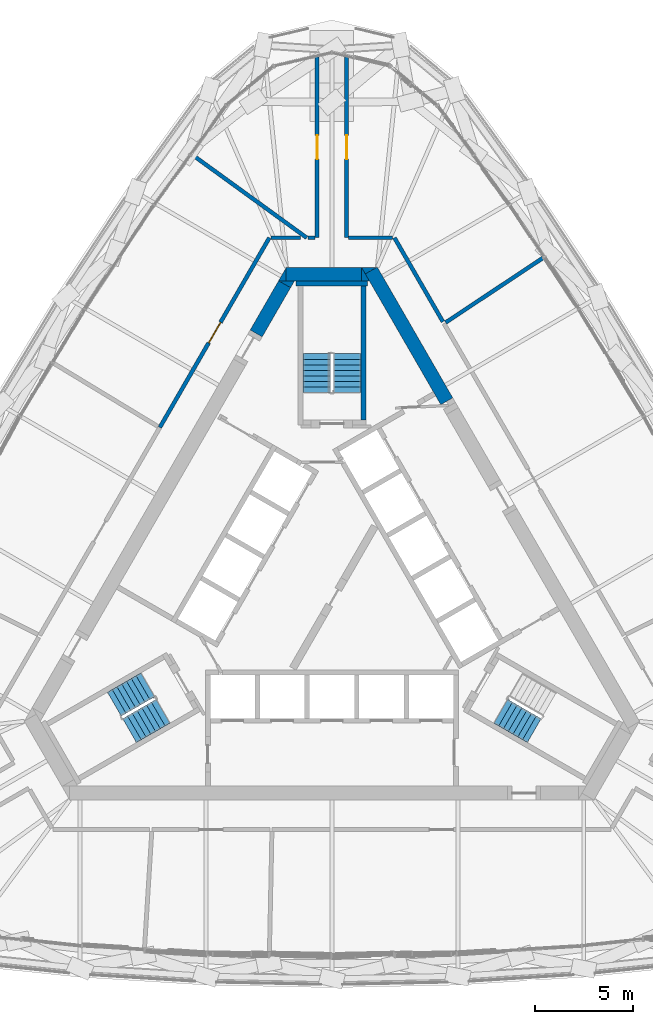
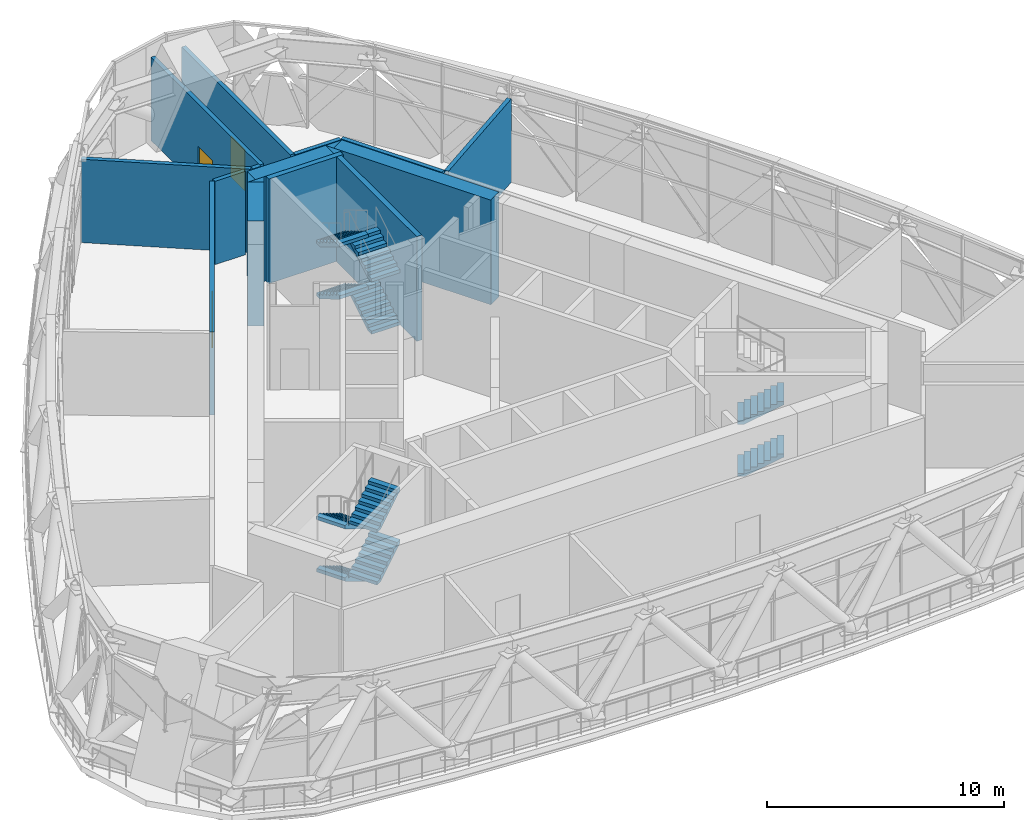
# One storey, part 23 of 33: 18 walls, 10 stair flights, 3 doors, 3 openings, 3 elements without a shape of their own.
"""IFC4 building model written with IfcOpenShell, lengths in metres."""

from ifc_helpers import new_model, si_unit, direction, frame, frame_2d, origin, place, context, subcontext, project, spatial, polyline, rectangle, outline, extrude, material, layer, layer_set, type_object, element, fill, aggregate, save


model = new_model("IFC4")

# Units and contexts
model_context = context("Model", 3, precision=1e-05, world=origin(), true_north=direction((0.0, 1.0)))
body_context = subcontext(model_context, "Body", "Model", "MODEL_VIEW")
ifc_project = project(units=[si_unit("LENGTHUNIT", "METRE"), si_unit("AREAUNIT", "SQUARE_METRE"), si_unit("VOLUMEUNIT", "CUBIC_METRE"), si_unit("PLANEANGLEUNIT", "RADIAN"), si_unit("MASSUNIT", "GRAM", prefix="KILO")], contexts=[model_context])

# Site, building, storey
site_placement = place(None, origin())
site = spatial("IfcSite", under=ifc_project, at=site_placement, CompositionType="ELEMENT")
building_placement = place(site_placement, origin())
building = spatial("IfcBuilding", under=site, at=building_placement, Name="Mestral Congress Tower", CompositionType="ELEMENT")
storey_placement = place(building_placement, frame((0.0, 0.0, 256.199951171875)))
storey = spatial("IfcBuildingStorey", under=building, at=storey_placement, Name="L60", CompositionType="ELEMENT", Elevation=256.199951171875)

# Walls
ifc_material_1 = material(Name="Concrete C60/75", Category="concrete")
ifc_layer_1 = layer(ifc_material_1, 0.699951171875)
ifc_layer_set_1 = layer_set([ifc_layer_1], Name="Concrete C60/75")
wall_type_1 = type_object("IfcWallType", Name="Core wall RC 700", PredefinedType="SOLIDWALL", material=ifc_layer_set_1)
wall_1_placement = place(storey_placement, frame((5.833251953125, 9.896484375, 0.0), z_axis=(0.0, 0.0, 1.0), x_axis=(-0.499987949039, 0.866032361298, 0.0)))
element("IfcWall", 1, at=wall_1_placement, inside=storey, type_object=wall_type_1, Name="L60 core wall", PredefinedType="SOLIDWALL", context=body_context, shape_type="SweptSolid", body=[
    extrude(rectangle(XDim=7.668212890625, YDim=0.699951171875, at=frame_2d((3.833984375, 0.0))), origin(), (0.0, 0.0, 1.0), 5.400146484375),
])
placement = place(storey_placement, origin())
element("IfcWall", 2, at=placement, inside=storey, type_object=wall_type_1, Name="L60 core wall", PredefinedType="SOLIDWALL", context=body_context, shape_type="SweptSolid", body=[
    extrude(outline(polyline([(1.501220703125, 16.699951171875), (2.277099609375, 16.699951171875), (1.695068359375, 16.364013671875), (1.501220703125, 16.699951171875)])), origin(), (0.0, 0.0, 1.0), 5.400146484375),
])
wall_3_placement = place(storey_placement, frame((-2.323486328125, 16.35009765625, 0.0), z_axis=(0.0, 0.0, 1.0), x_axis=(1.0, 0.0, 0.0)))
element("IfcWall", 3, at=wall_3_placement, inside=storey, type_object=wall_type_1, Name="L60 core wall", PredefinedType="SOLIDWALL", context=body_context, shape_type="SweptSolid", body=[
    extrude(rectangle(XDim=3.828857421875, YDim=0.699951171875, at=frame_2d((1.91455078125, 0.0))), origin(), (0.0, 0.0, 1.0), 5.400146484375),
])
element("IfcWall", 4, at=placement, inside=storey, type_object=wall_type_1, Name="L60 core wall", PredefinedType="SOLIDWALL", context=body_context, shape_type="SweptSolid", body=[
    extrude(outline(polyline([(1.9052734375, 16.0), (1.50732421875, 16.0), (1.50732421875, 16.689208984375), (1.9052734375, 16.0)])), origin(), (0.0, 0.0, 1.0), 5.400146484375),
])
element("IfcWall", 5, at=placement, inside=storey, type_object=wall_type_1, Name="L60 core wall", PredefinedType="SOLIDWALL", context=body_context, shape_type="SweptSolid", body=[
    extrude(outline(polyline([(-2.71337890625, 16.0), (-2.325439453125, 16.672119140625), (-2.325439453125, 16.0), (-2.71337890625, 16.0)])), origin(), (0.0, 0.0, 1.0), 5.400146484375),
])
wall_6_placement = place(storey_placement, frame((-2.4033203125, 15.837158203125, 0.0), z_axis=(0.0, 0.0, 1.0), x_axis=(-0.500008214683, -0.866020660983, 0.0)))
element("IfcWall", 6, at=wall_6_placement, inside=storey, type_object=wall_type_1, Name="L60 core wall", PredefinedType="SOLIDWALL", context=body_context, shape_type="SweptSolid", body=[
    extrude(rectangle(XDim=2.88427734375, YDim=0.699951171875, at=frame_2d((1.442138671875, 0.0))), origin(), (0.0, 0.0, 1.0), 5.400146484375),
])
element("IfcWall", 7, at=placement, inside=storey, type_object=wall_type_1, Name="L60 core wall", PredefinedType="SOLIDWALL", context=body_context, shape_type="SweptSolid", body=[
    extrude(outline(polyline([(-1.9052734375, 16.0), (-2.099365234375, 15.6640625), (-2.681396484375, 16.0), (-1.9052734375, 16.0)])), origin(), (0.0, 0.0, 1.0), 5.400146484375),
])

# Wall, opening, door
ifc_material_2 = material(Name="Concrete block wall, plastered", Category="concrete")
ifc_layer_2 = layer(ifc_material_2, 0.199951171875)
ifc_layer_set_2 = layer_set([ifc_layer_2], Name="Concrete block wall, plastered")
wall_type_2 = type_object("IfcWallType", Name="Special partition 200 EI 120", PredefinedType="PARTITIONING", material=ifc_layer_set_2)
wall_8_placement = place(storey_placement, frame((-3.17529296875, 18.199951171875, 0.0), z_axis=(0.0, 0.0, 1.0), x_axis=(-0.500001798457, -0.866024365442, 0.0)))
wall_8 = element("IfcWall", 8, at=wall_8_placement, inside=storey, type_object=wall_type_2, Name="Partition", PredefinedType="PARTITIONING", context=body_context, shape_type="SweptSolid", body=[
    extrude(rectangle(XDim=11.12109375, YDim=0.199951171875, at=frame_2d((5.560546875, 0.0))), origin(), (0.0, 0.0, 1.0), 4.300048828125),
])
opening_1_placement = place(wall_8_placement, frame((4.96044921875, 0.0, 0.0)))
opening_1 = element("IfcOpeningElement", 9, at=opening_1_placement, cuts=wall_8, Name="Opening S60-010", PredefinedType="OPENING", context=body_context, shape_type="SweptSolid", body=[
    extrude(rectangle(XDim=1.199951171875, YDim=2.10009765625, at=frame_2d((0.60009765625, 1.050048828125))), frame((0.0, 0.10986328125, 0.0), z_axis=(0.0, -1.0, 0.0), x_axis=(1.0, 0.0, 0.0)), (0.0, 0.0, 1.0), 0.219970703125),
])
ifc_material_3 = material(Name="Fire-rated steel door set", Category="steel")
door_type_1 = type_object("IfcDoorType", Name="Refuge door 1200x2100", OperationType="SINGLE_SWING_LEFT", PredefinedType="DOOR", material=ifc_material_3)
door_1_placement = place(opening_1_placement, origin())
door_1 = element("IfcDoor", 10, at=door_1_placement, inside=storey, type_object=door_type_1, Name="Door S60-010", OperationType="SINGLE_SWING_RIGHT", OverallHeight=2.10009765625, OverallWidth=1.199951171875, PredefinedType="DOOR", context=body_context, shape_type="SweptSolid", body=[
    extrude(rectangle(XDim=1.199951171875, YDim=2.10009765625, at=frame_2d((0.60009765625, 1.050048828125))), frame((0.0, 0.02490234375, 0.0), z_axis=(0.0, -1.0, 0.0), x_axis=(1.0, 0.0, 0.0)), (0.0, 0.0, 1.0), 0.050048828125),
])
fill(opening_1, door_1)

wall_9_placement = place(storey_placement, frame((0.75, 18.199951171875, 0.0), z_axis=(0.0, 0.0, 1.0), x_axis=(0.0, 1.0, 0.0)))
wall_9 = element("IfcWall", 11, at=wall_9_placement, inside=storey, type_object=wall_type_2, Name="Partition", PredefinedType="PARTITIONING", context=body_context, shape_type="SweptSolid", body=[
    extrude(rectangle(XDim=9.18701171875, YDim=0.199951171875, at=frame_2d((4.593505859375, 0.0))), origin(), (0.0, 0.0, 1.0), 4.300048828125),
])
opening_2_placement = place(wall_9_placement, frame((3.993408203125, 0.0, 0.0)))
opening_2 = element("IfcOpeningElement", 12, at=opening_2_placement, cuts=wall_9, Name="Opening S60-008", PredefinedType="OPENING", context=body_context, shape_type="SweptSolid", body=[
    extrude(rectangle(XDim=1.199951171875, YDim=2.10009765625, at=frame_2d((0.60009765625, 1.050048828125))), frame((0.0, 0.10986328125, 0.0), z_axis=(0.0, -1.0, 0.0), x_axis=(1.0, 0.0, 0.0)), (0.0, 0.0, 1.0), 0.219970703125),
])
door_2_placement = place(opening_2_placement, origin())
door_2 = element("IfcDoor", 13, at=door_2_placement, inside=storey, type_object=door_type_1, Name="Door S60-008", OperationType="SINGLE_SWING_RIGHT", OverallHeight=2.10009765625, OverallWidth=1.199951171875, PredefinedType="DOOR", context=body_context, shape_type="SweptSolid", body=[
    extrude(rectangle(XDim=1.199951171875, YDim=2.10009765625, at=frame_2d((0.60009765625, 1.050048828125))), frame((0.0, 0.02490234375, 0.0), z_axis=(0.0, -1.0, 0.0), x_axis=(1.0, 0.0, 0.0)), (0.0, 0.0, 1.0), 0.050048828125),
])
fill(opening_2, door_2)

wall_10_placement = place(storey_placement, frame((-0.75, 27.386962890625, 0.0), z_axis=(0.0, 0.0, 1.0), x_axis=(0.0, -1.0, 0.0)))
wall_10 = element("IfcWall", 14, at=wall_10_placement, inside=storey, type_object=wall_type_2, Name="Partition", PredefinedType="PARTITIONING", context=body_context, shape_type="SweptSolid", body=[
    extrude(rectangle(XDim=9.18701171875, YDim=0.199951171875, at=frame_2d((4.593505859375, 0.0))), origin(), (0.0, 0.0, 1.0), 4.300048828125),
])
opening_3_placement = place(wall_10_placement, frame((3.993408203125, 0.0, 0.0)))
opening_3 = element("IfcOpeningElement", 15, at=opening_3_placement, cuts=wall_10, Name="Opening S60-009", PredefinedType="OPENING", context=body_context, shape_type="SweptSolid", body=[
    extrude(rectangle(XDim=1.199951171875, YDim=2.10009765625, at=frame_2d((0.60009765625, 1.050048828125))), frame((0.0, 0.10986328125, 0.0), z_axis=(0.0, -1.0, 0.0), x_axis=(1.0, 0.0, 0.0)), (0.0, 0.0, 1.0), 0.219970703125),
])
door_type_2 = type_object("IfcDoorType", Name="Plant room door 1200x2100", OperationType="SINGLE_SWING_LEFT", PredefinedType="DOOR", material=ifc_material_3)
door_3_placement = place(opening_3_placement, origin())
door_3 = element("IfcDoor", 16, at=door_3_placement, inside=storey, type_object=door_type_2, Name="Door S60-009", OperationType="SINGLE_SWING_RIGHT", OverallHeight=2.10009765625, OverallWidth=1.199951171875, PredefinedType="DOOR", context=body_context, shape_type="SweptSolid", body=[
    extrude(rectangle(XDim=1.199951171875, YDim=2.10009765625, at=frame_2d((0.60009765625, 1.050048828125))), frame((0.0, 0.02490234375, 0.0), z_axis=(0.0, -1.0, 0.0), x_axis=(1.0, 0.0, 0.0)), (0.0, 0.0, 1.0), 0.050048828125),
])
fill(opening_3, door_3)

# Walls
wall_11_placement = place(storey_placement, frame((-1.28076171875, 18.199951171875, 0.0), z_axis=(0.0, 0.0, 1.0), x_axis=(-0.809573791684, 0.587018122223, 0.0)))
element("IfcWall", 17, at=wall_11_placement, inside=storey, type_object=wall_type_2, Name="Partition", PredefinedType="PARTITIONING", context=body_context, shape_type="SweptSolid", body=[
    extrude(rectangle(XDim=7.20166015625, YDim=0.199951171875, at=frame_2d((3.600830078125, 0.0))), origin(), (0.0, 0.0, 1.0), 4.300048828125),
])
wall_12_placement = place(storey_placement, frame((5.77587890625, 13.895751953125, 0.0), z_axis=(0.0, 0.0, 1.0), x_axis=(0.833232656179, 0.552922544916, 0.0)))
element("IfcWall", 18, at=wall_12_placement, inside=storey, type_object=wall_type_2, Name="Partition", PredefinedType="PARTITIONING", context=body_context, shape_type="SweptSolid", body=[
    extrude(rectangle(XDim=5.962646484375, YDim=0.199951171875, at=frame_2d((2.9814453125, 0.0))), origin(), (0.0, 0.0, 1.0), 4.300048828125),
])
wall_13_placement = place(storey_placement, frame((3.17529296875, 18.199951171875, 0.0), z_axis=(0.0, 0.0, 1.0), x_axis=(0.500015723568, -0.866016325588, 0.0)))
element("IfcWall", 19, at=wall_13_placement, inside=storey, type_object=wall_type_2, Name="Partition", PredefinedType="PARTITIONING", context=body_context, shape_type="SweptSolid", body=[
    extrude(rectangle(XDim=4.924072265625, YDim=0.199951171875, at=frame_2d((2.4619140625, 0.0))), origin(), (0.0, 0.0, 1.0), 4.300048828125),
])
wall_14_placement = place(storey_placement, frame((0.85009765625, 18.199951171875, 0.0), z_axis=(0.0, 0.0, 1.0), x_axis=(1.0, 0.0, 0.0)))
element("IfcWall", 20, at=wall_14_placement, inside=storey, type_object=wall_type_2, Name="Partition", PredefinedType="PARTITIONING", context=body_context, shape_type="SweptSolid", body=[
    extrude(rectangle(XDim=2.2353515625, YDim=0.199951171875, at=frame_2d((1.11767578125, 0.0))), origin(), (0.0, 0.0, 1.0), 4.300048828125),
])
wall_15_placement = place(storey_placement, frame((-3.08544921875, 18.199951171875, 0.0), z_axis=(0.0, 0.0, 1.0), x_axis=(1.0, 0.0, 0.0)))
element("IfcWall", 21, at=wall_15_placement, inside=storey, type_object=wall_type_2, Name="Partition", PredefinedType="PARTITIONING", context=body_context, shape_type="SweptSolid", body=[
    extrude(rectangle(XDim=1.494873046875, YDim=0.199951171875, at=frame_2d((0.74755859375, 0.0))), origin(), (0.0, 0.0, 1.0), 4.300048828125),
])
wall_16_placement = place(storey_placement, frame((-1.22119140625, 18.199951171875, 0.0), z_axis=(0.0, 0.0, 1.0), x_axis=(1.0, 0.0, 0.0)))
element("IfcWall", 22, at=wall_16_placement, inside=storey, type_object=wall_type_2, Name="Partition", PredefinedType="PARTITIONING", context=body_context, shape_type="SweptSolid", body=[
    extrude(rectangle(XDim=0.37109375, YDim=0.199951171875, at=frame_2d((0.185546875, 0.0))), origin(), (0.0, 0.0, 1.0), 4.300048828125),
])
ifc_layer_3 = layer(ifc_material_1, 0.25)
ifc_layer_set_3 = layer_set([ifc_layer_3], Name="Concrete C60/75")
wall_type_3 = type_object("IfcWallType", Name="Stair wall RC 250", PredefinedType="SOLIDWALL", material=ifc_layer_set_3)
wall_17_placement = place(storey_placement, frame((-1.81689453125, 15.875, 0.0), z_axis=(0.0, 0.0, 1.0), x_axis=(1.0, 0.0, 0.0)))
element("IfcWall", 23, at=wall_17_placement, inside=storey, type_object=wall_type_3, Name="L60 core wall", PredefinedType="SOLIDWALL", context=body_context, shape_type="SweptSolid", body=[
    extrude(rectangle(XDim=3.6337890625, YDim=0.25, at=frame_2d((1.81689453125, 0.0))), origin(), (0.0, 0.0, 1.0), 5.400146484375),
])
wall_18_placement = place(storey_placement, frame((1.60009765625, 8.949951171875, 0.0), z_axis=(0.0, 0.0, 1.0), x_axis=(0.0, 1.0, 0.0)))
element("IfcWall", 24, at=wall_18_placement, inside=storey, type_object=wall_type_3, Name="L60 core wall", PredefinedType="SOLIDWALL", context=body_context, shape_type="SweptSolid", body=[
    extrude(rectangle(XDim=6.800048828125, YDim=0.25, at=frame_2d((3.39990234375, 0.0))), origin(), (0.0, 0.0, 1.0), 5.400146484375),
])

# Stair, stair flights
stair_type = type_object("IfcStairType", Name="Exit stair 1400", PredefinedType="HALF_TURN_STAIR", material=ifc_material_1)
stair_1 = element("IfcStair", 25, at=placement, inside=storey, type_object=stair_type, Name="L60 ST1", PredefinedType="HALF_TURN_STAIR")
stair_flight_type = type_object("IfcStairFlightType", Name="Exit stair flight 1400", PredefinedType="STRAIGHT", material=ifc_material_1)
stair_flight_1_placement = place(storey_placement, frame((8.575927734375, -5.84619140625, 0.0), z_axis=(0.0, 0.0, 1.0), x_axis=(0.866025403784, -0.5, 0.0)))
stair_flight_1 = element("IfcStairFlight", 26, at=stair_flight_1_placement, type_object=stair_flight_type, Name="ST1 flight 1", NumberOfRisers=8, NumberOfTreads=7, PredefinedType="STRAIGHT", RiserHeight=0.16875, TreadLength=0.28, context=body_context, shape_type="SweptSolid", body=[
    extrude(outline(polyline([(0.0, 0.0), (0.0, 0.168701171875), (0.280029296875, 0.168701171875), (0.280029296875, 0.33740234375), (0.56005859375, 0.33740234375), (0.56005859375, 0.50634765625), (0.840087890625, 0.50634765625), (0.840087890625, 0.675048828125), (1.1201171875, 0.675048828125), (1.1201171875, 0.84375), (1.39990234375, 0.84375), (1.39990234375, 1.012451171875), (1.679931640625, 1.012451171875), (1.679931640625, 1.18115234375), (1.9599609375, 1.18115234375), (1.9599609375, 1.35009765625), (1.9599609375, 1.00634765625), (0.29052734375, 0.0), (0.0, 0.0)])), frame((0.0, 0.699951171875, 0.0), z_axis=(0.0, -1.0, 0.0), x_axis=(1.0, 0.0, 0.0)), (0.0, 0.0, 1.0), 0.700927734375),
    extrude(outline(polyline([(0.0, 0.0), (0.0, 0.168701171875), (0.280029296875, 0.168701171875), (0.280029296875, 0.33740234375), (0.56005859375, 0.33740234375), (0.56005859375, 0.50634765625), (0.840087890625, 0.50634765625), (0.840087890625, 0.675048828125), (1.1201171875, 0.675048828125), (1.1201171875, 0.84375), (1.39990234375, 0.84375), (1.39990234375, 1.012451171875), (1.679931640625, 1.012451171875), (1.679931640625, 1.18115234375), (1.9599609375, 1.18115234375), (1.9599609375, 1.35009765625), (1.9599609375, 1.00634765625), (0.29052734375, 0.0), (0.0, 0.0)])), frame((0.0, 0.0009765625, 0.0), z_axis=(0.0, -1.0, 0.0), x_axis=(1.0, 0.0, 0.0)), (0.0, 0.0, 1.0), 0.700927734375),
])
stair_flight_2_placement = place(storey_placement, frame((8.575927734375, -5.84619140625, 2.699951171875), z_axis=(0.0, 0.0, 1.0), x_axis=(0.866025403784, -0.5, 0.0)))
stair_flight_2 = element("IfcStairFlight", 27, at=stair_flight_2_placement, type_object=stair_flight_type, Name="ST1 flight 3", NumberOfRisers=8, NumberOfTreads=7, PredefinedType="STRAIGHT", RiserHeight=0.16875, TreadLength=0.28, context=body_context, shape_type="SweptSolid", body=[
    extrude(outline(polyline([(0.0, 0.0), (0.0, 0.168701171875), (0.280029296875, 0.168701171875), (0.280029296875, 0.33740234375), (0.56005859375, 0.33740234375), (0.56005859375, 0.50634765625), (0.840087890625, 0.50634765625), (0.840087890625, 0.675048828125), (1.1201171875, 0.675048828125), (1.1201171875, 0.84375), (1.39990234375, 0.84375), (1.39990234375, 1.012451171875), (1.679931640625, 1.012451171875), (1.679931640625, 1.18115234375), (1.9599609375, 1.18115234375), (1.9599609375, 1.35009765625), (1.9599609375, 1.00634765625), (0.29052734375, 0.0), (0.0, 0.0)])), frame((0.0, 0.699951171875, 0.0), z_axis=(0.0, -1.0, 0.0), x_axis=(1.0, 0.0, 0.0)), (0.0, 0.0, 1.0), 0.700927734375),
    extrude(outline(polyline([(0.0, 0.0), (0.0, 0.168701171875), (0.280029296875, 0.168701171875), (0.280029296875, 0.33740234375), (0.56005859375, 0.33740234375), (0.56005859375, 0.50634765625), (0.840087890625, 0.50634765625), (0.840087890625, 0.675048828125), (1.1201171875, 0.675048828125), (1.1201171875, 0.84375), (1.39990234375, 0.84375), (1.39990234375, 1.012451171875), (1.679931640625, 1.012451171875), (1.679931640625, 1.18115234375), (1.9599609375, 1.18115234375), (1.9599609375, 1.35009765625), (1.9599609375, 1.00634765625), (0.29052734375, 0.0), (0.0, 0.0)])), frame((0.0, 0.0009765625, 0.0), z_axis=(0.0, -1.0, 0.0), x_axis=(1.0, 0.0, 0.0)), (0.0, 0.0, 1.0), 0.700927734375),
])
aggregate(stair_1, [stair_flight_1, stair_flight_2])

stair_2 = element("IfcStair", 28, at=placement, inside=storey, type_object=stair_type, Name="L60 ST2", PredefinedType="HALF_TURN_STAIR")
stair_flight_3_placement = place(storey_placement, frame((0.77490234375, 10.35009765625, 0.0), z_axis=(0.0, 0.0, 1.0), x_axis=(0.0, 1.0, 0.0)))
stair_flight_3 = element("IfcStairFlight", 29, at=stair_flight_3_placement, type_object=stair_flight_type, Name="ST2 flight 1", NumberOfRisers=8, NumberOfTreads=7, PredefinedType="STRAIGHT", RiserHeight=0.16875, TreadLength=0.28, context=body_context, shape_type="SweptSolid", body=[
    extrude(outline(polyline([(0.0, 0.0), (0.0, 0.168701171875), (0.280029296875, 0.168701171875), (0.280029296875, 0.33740234375), (0.56005859375, 0.33740234375), (0.56005859375, 0.50634765625), (0.840087890625, 0.50634765625), (0.840087890625, 0.675048828125), (1.1201171875, 0.675048828125), (1.1201171875, 0.84375), (1.39990234375, 0.84375), (1.39990234375, 1.012451171875), (1.679931640625, 1.012451171875), (1.679931640625, 1.18115234375), (1.9599609375, 1.18115234375), (1.9599609375, 1.35009765625), (1.9599609375, 1.00634765625), (0.29052734375, 0.0), (0.0, 0.0)])), frame((0.0, 0.699951171875, 0.0), z_axis=(0.0, -1.0, 0.0), x_axis=(1.0, 0.0, 0.0)), (0.0, 0.0, 1.0), 0.700927734375),
    extrude(outline(polyline([(0.0, 0.0), (0.0, 0.168701171875), (0.280029296875, 0.168701171875), (0.280029296875, 0.33740234375), (0.56005859375, 0.33740234375), (0.56005859375, 0.50634765625), (0.840087890625, 0.50634765625), (0.840087890625, 0.675048828125), (1.1201171875, 0.675048828125), (1.1201171875, 0.84375), (1.39990234375, 0.84375), (1.39990234375, 1.012451171875), (1.679931640625, 1.012451171875), (1.679931640625, 1.18115234375), (1.9599609375, 1.18115234375), (1.9599609375, 1.35009765625), (1.9599609375, 1.00634765625), (0.29052734375, 0.0), (0.0, 0.0)])), frame((0.0, 0.0009765625, 0.0), z_axis=(0.0, -1.0, 0.0), x_axis=(1.0, 0.0, 0.0)), (0.0, 0.0, 1.0), 0.700927734375),
])
stair_flight_4_placement = place(storey_placement, frame((-0.77490234375, 12.31005859375, 1.35009765625), z_axis=(0.0, 0.0, 1.0), x_axis=(0.0, -1.0, 0.0)))
stair_flight_4 = element("IfcStairFlight", 30, at=stair_flight_4_placement, type_object=stair_flight_type, Name="ST2 flight 2", NumberOfRisers=8, NumberOfTreads=7, PredefinedType="STRAIGHT", RiserHeight=0.16875, TreadLength=0.28, context=body_context, shape_type="SweptSolid", body=[
    extrude(outline(polyline([(0.0, 0.0), (0.0, 0.168701171875), (0.280029296875, 0.168701171875), (0.280029296875, 0.33740234375), (0.56005859375, 0.33740234375), (0.56005859375, 0.50634765625), (0.840087890625, 0.50634765625), (0.840087890625, 0.675048828125), (1.1201171875, 0.675048828125), (1.1201171875, 0.84375), (1.39990234375, 0.84375), (1.39990234375, 1.012451171875), (1.679931640625, 1.012451171875), (1.679931640625, 1.18115234375), (1.9599609375, 1.18115234375), (1.9599609375, 1.35009765625), (1.9599609375, 1.00634765625), (0.29052734375, 0.0), (0.0, 0.0)])), frame((0.0, 0.699951171875, 0.0), z_axis=(0.0, -1.0, 0.0), x_axis=(1.0, 0.0, 0.0)), (0.0, 0.0, 1.0), 0.700927734375),
    extrude(outline(polyline([(0.0, 0.0), (0.0, 0.168701171875), (0.280029296875, 0.168701171875), (0.280029296875, 0.33740234375), (0.56005859375, 0.33740234375), (0.56005859375, 0.50634765625), (0.840087890625, 0.50634765625), (0.840087890625, 0.675048828125), (1.1201171875, 0.675048828125), (1.1201171875, 0.84375), (1.39990234375, 0.84375), (1.39990234375, 1.012451171875), (1.679931640625, 1.012451171875), (1.679931640625, 1.18115234375), (1.9599609375, 1.18115234375), (1.9599609375, 1.35009765625), (1.9599609375, 1.00634765625), (0.29052734375, 0.0), (0.0, 0.0)])), frame((0.0, 0.0009765625, 0.0), z_axis=(0.0, -1.0, 0.0), x_axis=(1.0, 0.0, 0.0)), (0.0, 0.0, 1.0), 0.700927734375),
])
stair_flight_5_placement = place(storey_placement, frame((0.77490234375, 10.35009765625, 2.699951171875), z_axis=(0.0, 0.0, 1.0), x_axis=(0.0, 1.0, 0.0)))
stair_flight_5 = element("IfcStairFlight", 31, at=stair_flight_5_placement, type_object=stair_flight_type, Name="ST2 flight 3", NumberOfRisers=8, NumberOfTreads=7, PredefinedType="STRAIGHT", RiserHeight=0.16875, TreadLength=0.28, context=body_context, shape_type="SweptSolid", body=[
    extrude(outline(polyline([(0.0, 0.0), (0.0, 0.168701171875), (0.280029296875, 0.168701171875), (0.280029296875, 0.33740234375), (0.56005859375, 0.33740234375), (0.56005859375, 0.50634765625), (0.840087890625, 0.50634765625), (0.840087890625, 0.675048828125), (1.1201171875, 0.675048828125), (1.1201171875, 0.84375), (1.39990234375, 0.84375), (1.39990234375, 1.012451171875), (1.679931640625, 1.012451171875), (1.679931640625, 1.18115234375), (1.9599609375, 1.18115234375), (1.9599609375, 1.35009765625), (1.9599609375, 1.00634765625), (0.29052734375, 0.0), (0.0, 0.0)])), frame((0.0, 0.699951171875, 0.0), z_axis=(0.0, -1.0, 0.0), x_axis=(1.0, 0.0, 0.0)), (0.0, 0.0, 1.0), 0.700927734375),
    extrude(outline(polyline([(0.0, 0.0), (0.0, 0.168701171875), (0.280029296875, 0.168701171875), (0.280029296875, 0.33740234375), (0.56005859375, 0.33740234375), (0.56005859375, 0.50634765625), (0.840087890625, 0.50634765625), (0.840087890625, 0.675048828125), (1.1201171875, 0.675048828125), (1.1201171875, 0.84375), (1.39990234375, 0.84375), (1.39990234375, 1.012451171875), (1.679931640625, 1.012451171875), (1.679931640625, 1.18115234375), (1.9599609375, 1.18115234375), (1.9599609375, 1.35009765625), (1.9599609375, 1.00634765625), (0.29052734375, 0.0), (0.0, 0.0)])), frame((0.0, 0.0009765625, 0.0), z_axis=(0.0, -1.0, 0.0), x_axis=(1.0, 0.0, 0.0)), (0.0, 0.0, 1.0), 0.700927734375),
])
stair_flight_6_placement = place(storey_placement, frame((-0.77490234375, 12.31005859375, 4.050048828125), z_axis=(0.0, 0.0, 1.0), x_axis=(0.0, -1.0, 0.0)))
stair_flight_6 = element("IfcStairFlight", 32, at=stair_flight_6_placement, type_object=stair_flight_type, Name="ST2 flight 4", NumberOfRisers=8, NumberOfTreads=7, PredefinedType="STRAIGHT", RiserHeight=0.16875, TreadLength=0.28, context=body_context, shape_type="SweptSolid", body=[
    extrude(outline(polyline([(0.0, 0.0), (0.0, 0.168701171875), (0.280029296875, 0.168701171875), (0.280029296875, 0.33740234375), (0.56005859375, 0.33740234375), (0.56005859375, 0.50634765625), (0.840087890625, 0.50634765625), (0.840087890625, 0.675048828125), (1.1201171875, 0.675048828125), (1.1201171875, 0.84375), (1.39990234375, 0.84375), (1.39990234375, 1.012451171875), (1.679931640625, 1.012451171875), (1.679931640625, 1.18115234375), (1.9599609375, 1.18115234375), (1.9599609375, 1.35009765625), (1.9599609375, 1.00634765625), (0.29052734375, 0.0), (0.0, 0.0)])), frame((0.0, 0.699951171875, 0.0), z_axis=(0.0, -1.0, 0.0), x_axis=(1.0, 0.0, 0.0)), (0.0, 0.0, 1.0), 0.700927734375),
    extrude(outline(polyline([(0.0, 0.0), (0.0, 0.168701171875), (0.280029296875, 0.168701171875), (0.280029296875, 0.33740234375), (0.56005859375, 0.33740234375), (0.56005859375, 0.50634765625), (0.840087890625, 0.50634765625), (0.840087890625, 0.675048828125), (1.1201171875, 0.675048828125), (1.1201171875, 0.84375), (1.39990234375, 0.84375), (1.39990234375, 1.012451171875), (1.679931640625, 1.012451171875), (1.679931640625, 1.18115234375), (1.9599609375, 1.18115234375), (1.9599609375, 1.35009765625), (1.9599609375, 1.00634765625), (0.29052734375, 0.0), (0.0, 0.0)])), frame((0.0, 0.0009765625, 0.0), z_axis=(0.0, -1.0, 0.0), x_axis=(1.0, 0.0, 0.0)), (0.0, 0.0, 1.0), 0.700927734375),
])
aggregate(stair_2, [stair_flight_3, stair_flight_4, stair_flight_5, stair_flight_6])

stair_3 = element("IfcStair", 33, at=placement, inside=storey, type_object=stair_type, Name="L60 ST3", PredefinedType="HALF_TURN_STAIR")
stair_flight_7_placement = place(storey_placement, frame((-9.350830078125, -4.50390625, 0.0), z_axis=(0.0, 0.0, 1.0), x_axis=(-0.866025403784, -0.5, 0.0)))
stair_flight_7 = element("IfcStairFlight", 34, at=stair_flight_7_placement, type_object=stair_flight_type, Name="ST3 flight 1", NumberOfRisers=8, NumberOfTreads=7, PredefinedType="STRAIGHT", RiserHeight=0.16875, TreadLength=0.28, context=body_context, shape_type="SweptSolid", body=[
    extrude(outline(polyline([(0.0, 0.0), (0.0, 0.168701171875), (0.280029296875, 0.168701171875), (0.280029296875, 0.33740234375), (0.56005859375, 0.33740234375), (0.56005859375, 0.50634765625), (0.840087890625, 0.50634765625), (0.840087890625, 0.675048828125), (1.1201171875, 0.675048828125), (1.1201171875, 0.84375), (1.39990234375, 0.84375), (1.39990234375, 1.012451171875), (1.679931640625, 1.012451171875), (1.679931640625, 1.18115234375), (1.9599609375, 1.18115234375), (1.9599609375, 1.35009765625), (1.9599609375, 1.00634765625), (0.29052734375, 0.0), (0.0, 0.0)])), frame((0.0, 0.699951171875, 0.0), z_axis=(0.0, -1.0, 0.0), x_axis=(1.0, 0.0, 0.0)), (0.0, 0.0, 1.0), 0.700927734375),
    extrude(outline(polyline([(0.0, 0.0), (0.0, 0.168701171875), (0.280029296875, 0.168701171875), (0.280029296875, 0.33740234375), (0.56005859375, 0.33740234375), (0.56005859375, 0.50634765625), (0.840087890625, 0.50634765625), (0.840087890625, 0.675048828125), (1.1201171875, 0.675048828125), (1.1201171875, 0.84375), (1.39990234375, 0.84375), (1.39990234375, 1.012451171875), (1.679931640625, 1.012451171875), (1.679931640625, 1.18115234375), (1.9599609375, 1.18115234375), (1.9599609375, 1.35009765625), (1.9599609375, 1.00634765625), (0.29052734375, 0.0), (0.0, 0.0)])), frame((0.0, 0.0009765625, 0.0), z_axis=(0.0, -1.0, 0.0), x_axis=(1.0, 0.0, 0.0)), (0.0, 0.0, 1.0), 0.700927734375),
])
stair_flight_8_placement = place(storey_placement, frame((-10.273193359375, -6.826171875, 1.35009765625), z_axis=(0.0, 0.0, 1.0), x_axis=(0.866025403784, 0.5, 0.0)))
stair_flight_8 = element("IfcStairFlight", 35, at=stair_flight_8_placement, type_object=stair_flight_type, Name="ST3 flight 2", NumberOfRisers=8, NumberOfTreads=7, PredefinedType="STRAIGHT", RiserHeight=0.16875, TreadLength=0.28, context=body_context, shape_type="SweptSolid", body=[
    extrude(outline(polyline([(0.0, 0.0), (0.0, 0.168701171875), (0.280029296875, 0.168701171875), (0.280029296875, 0.33740234375), (0.56005859375, 0.33740234375), (0.56005859375, 0.50634765625), (0.840087890625, 0.50634765625), (0.840087890625, 0.675048828125), (1.1201171875, 0.675048828125), (1.1201171875, 0.84375), (1.39990234375, 0.84375), (1.39990234375, 1.012451171875), (1.679931640625, 1.012451171875), (1.679931640625, 1.18115234375), (1.9599609375, 1.18115234375), (1.9599609375, 1.35009765625), (1.9599609375, 1.00634765625), (0.29052734375, 0.0), (0.0, 0.0)])), frame((0.0, 0.699951171875, 0.0), z_axis=(0.0, -1.0, 0.0), x_axis=(1.0, 0.0, 0.0)), (0.0, 0.0, 1.0), 0.700927734375),
    extrude(outline(polyline([(0.0, 0.0), (0.0, 0.168701171875), (0.280029296875, 0.168701171875), (0.280029296875, 0.33740234375), (0.56005859375, 0.33740234375), (0.56005859375, 0.50634765625), (0.840087890625, 0.50634765625), (0.840087890625, 0.675048828125), (1.1201171875, 0.675048828125), (1.1201171875, 0.84375), (1.39990234375, 0.84375), (1.39990234375, 1.012451171875), (1.679931640625, 1.012451171875), (1.679931640625, 1.18115234375), (1.9599609375, 1.18115234375), (1.9599609375, 1.35009765625), (1.9599609375, 1.00634765625), (0.29052734375, 0.0), (0.0, 0.0)])), frame((0.0, 0.0009765625, 0.0), z_axis=(0.0, -1.0, 0.0), x_axis=(1.0, 0.0, 0.0)), (0.0, 0.0, 1.0), 0.700927734375),
])
stair_flight_9_placement = place(storey_placement, frame((-9.350830078125, -4.50390625, 2.699951171875), z_axis=(0.0, 0.0, 1.0), x_axis=(-0.866025403784, -0.5, 0.0)))
stair_flight_9 = element("IfcStairFlight", 36, at=stair_flight_9_placement, type_object=stair_flight_type, Name="ST3 flight 3", NumberOfRisers=8, NumberOfTreads=7, PredefinedType="STRAIGHT", RiserHeight=0.16875, TreadLength=0.28, context=body_context, shape_type="SweptSolid", body=[
    extrude(outline(polyline([(0.0, 0.0), (0.0, 0.168701171875), (0.280029296875, 0.168701171875), (0.280029296875, 0.33740234375), (0.56005859375, 0.33740234375), (0.56005859375, 0.50634765625), (0.840087890625, 0.50634765625), (0.840087890625, 0.675048828125), (1.1201171875, 0.675048828125), (1.1201171875, 0.84375), (1.39990234375, 0.84375), (1.39990234375, 1.012451171875), (1.679931640625, 1.012451171875), (1.679931640625, 1.18115234375), (1.9599609375, 1.18115234375), (1.9599609375, 1.35009765625), (1.9599609375, 1.00634765625), (0.29052734375, 0.0), (0.0, 0.0)])), frame((0.0, 0.699951171875, 0.0), z_axis=(0.0, -1.0, 0.0), x_axis=(1.0, 0.0, 0.0)), (0.0, 0.0, 1.0), 0.700927734375),
    extrude(outline(polyline([(0.0, 0.0), (0.0, 0.168701171875), (0.280029296875, 0.168701171875), (0.280029296875, 0.33740234375), (0.56005859375, 0.33740234375), (0.56005859375, 0.50634765625), (0.840087890625, 0.50634765625), (0.840087890625, 0.675048828125), (1.1201171875, 0.675048828125), (1.1201171875, 0.84375), (1.39990234375, 0.84375), (1.39990234375, 1.012451171875), (1.679931640625, 1.012451171875), (1.679931640625, 1.18115234375), (1.9599609375, 1.18115234375), (1.9599609375, 1.35009765625), (1.9599609375, 1.00634765625), (0.29052734375, 0.0), (0.0, 0.0)])), frame((0.0, 0.0009765625, 0.0), z_axis=(0.0, -1.0, 0.0), x_axis=(1.0, 0.0, 0.0)), (0.0, 0.0, 1.0), 0.700927734375),
])
stair_flight_10_placement = place(storey_placement, frame((-10.273193359375, -6.826171875, 4.050048828125), z_axis=(0.0, 0.0, 1.0), x_axis=(0.866025403784, 0.5, 0.0)))
stair_flight_10 = element("IfcStairFlight", 37, at=stair_flight_10_placement, type_object=stair_flight_type, Name="ST3 flight 4", NumberOfRisers=8, NumberOfTreads=7, PredefinedType="STRAIGHT", RiserHeight=0.16875, TreadLength=0.28, context=body_context, shape_type="SweptSolid", body=[
    extrude(outline(polyline([(0.0, 0.0), (0.0, 0.168701171875), (0.280029296875, 0.168701171875), (0.280029296875, 0.33740234375), (0.56005859375, 0.33740234375), (0.56005859375, 0.50634765625), (0.840087890625, 0.50634765625), (0.840087890625, 0.675048828125), (1.1201171875, 0.675048828125), (1.1201171875, 0.84375), (1.39990234375, 0.84375), (1.39990234375, 1.012451171875), (1.679931640625, 1.012451171875), (1.679931640625, 1.18115234375), (1.9599609375, 1.18115234375), (1.9599609375, 1.35009765625), (1.9599609375, 1.00634765625), (0.29052734375, 0.0), (0.0, 0.0)])), frame((0.0, 0.699951171875, 0.0), z_axis=(0.0, -1.0, 0.0), x_axis=(1.0, 0.0, 0.0)), (0.0, 0.0, 1.0), 0.700927734375),
    extrude(outline(polyline([(0.0, 0.0), (0.0, 0.168701171875), (0.280029296875, 0.168701171875), (0.280029296875, 0.33740234375), (0.56005859375, 0.33740234375), (0.56005859375, 0.50634765625), (0.840087890625, 0.50634765625), (0.840087890625, 0.675048828125), (1.1201171875, 0.675048828125), (1.1201171875, 0.84375), (1.39990234375, 0.84375), (1.39990234375, 1.012451171875), (1.679931640625, 1.012451171875), (1.679931640625, 1.18115234375), (1.9599609375, 1.18115234375), (1.9599609375, 1.35009765625), (1.9599609375, 1.00634765625), (0.29052734375, 0.0), (0.0, 0.0)])), frame((0.0, 0.0009765625, 0.0), z_axis=(0.0, -1.0, 0.0), x_axis=(1.0, 0.0, 0.0)), (0.0, 0.0, 1.0), 0.700927734375),
])
aggregate(stair_3, [stair_flight_7, stair_flight_8, stair_flight_9, stair_flight_10])

save(model, "model.ifc")
